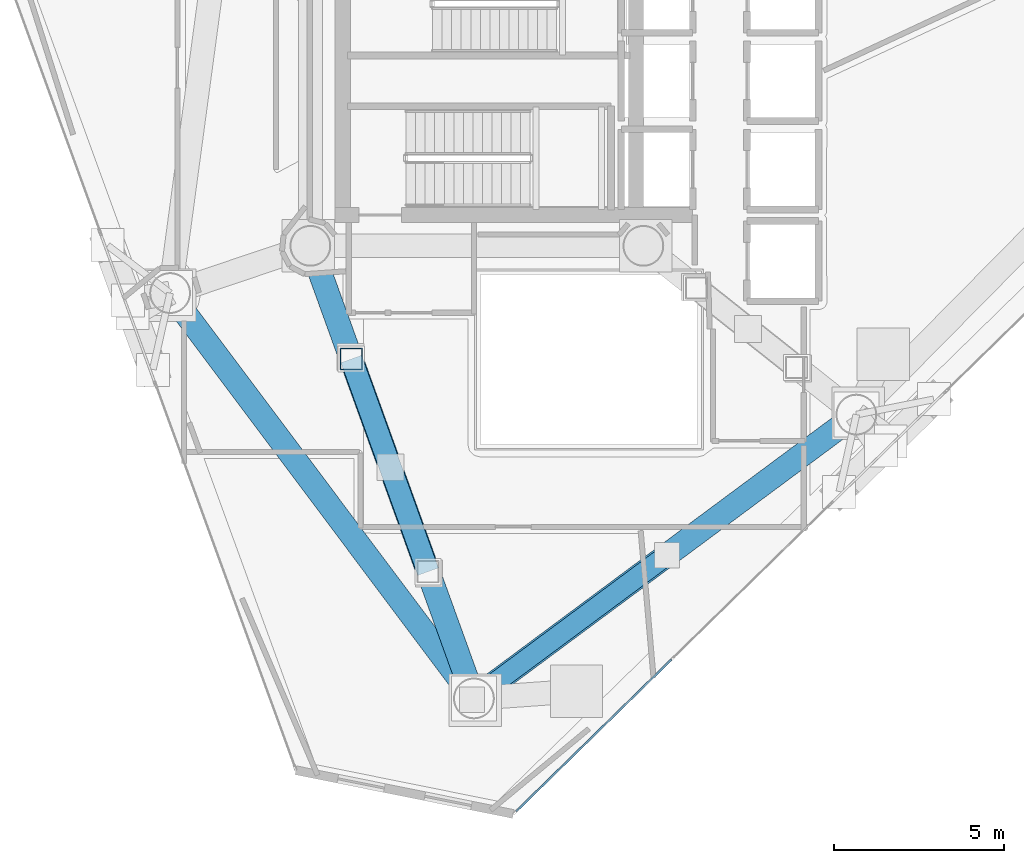
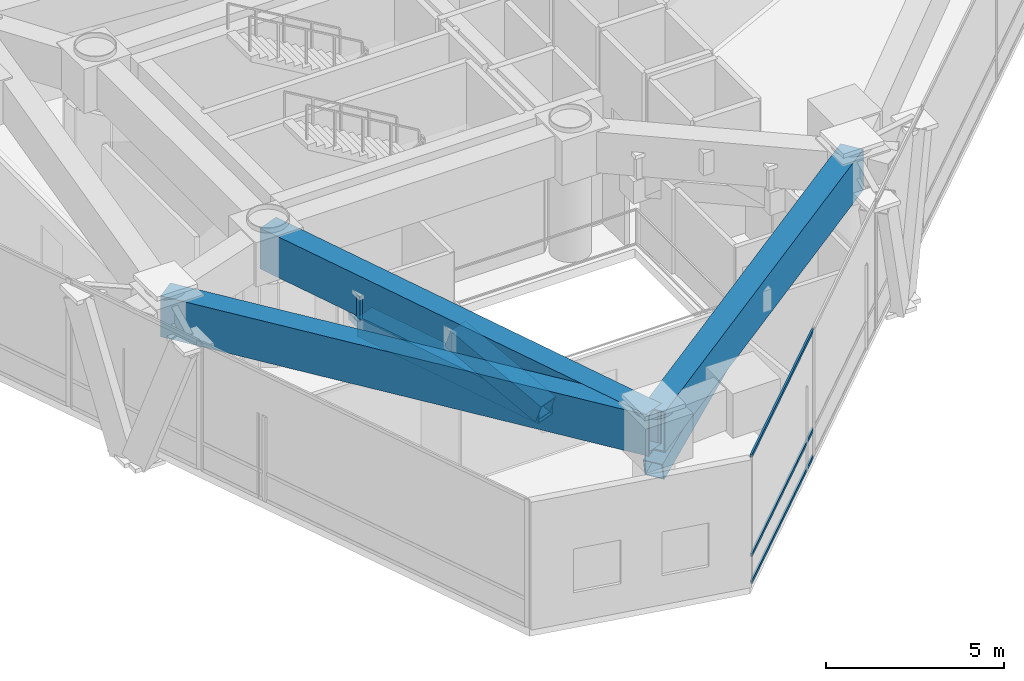
# One storey, part 4 of 20: 8 members, 3 beams, 1 element without a shape of its own.
"""IFC4 building model written with IfcOpenShell, lengths in metres."""

from ifc_helpers import new_model, si_unit, direction, frame, origin, origin_2d, place, context, subcontext, project, spatial, hollow_rectangle, extrude, material, layer, layer_set, material_profile, profile_set, type_object, element, aggregate, save


model = new_model("IFC4")

# Units and contexts
model_context = context("Model", 3, precision=1e-05, world=origin(), true_north=direction((0.0, 1.0)))
body_context = subcontext(model_context, "Body", "Model", "MODEL_VIEW")
ifc_project = project(units=[si_unit("LENGTHUNIT", "METRE"), si_unit("AREAUNIT", "SQUARE_METRE"), si_unit("VOLUMEUNIT", "CUBIC_METRE"), si_unit("PLANEANGLEUNIT", "RADIAN"), si_unit("MASSUNIT", "GRAM", prefix="KILO")], contexts=[model_context])

# Site, building, storey
site_placement = place(None, origin())
site = spatial("IfcSite", under=ifc_project, at=site_placement, CompositionType="ELEMENT")
building_placement = place(site_placement, origin())
building = spatial("IfcBuilding", under=site, at=building_placement, Name="Qianvela Tower", CompositionType="ELEMENT")
storey_placement = place(building_placement, frame((0.0, 0.0, 229.89990234375)))
storey = spatial("IfcBuildingStorey", under=building, at=storey_placement, Name="L59", CompositionType="ELEMENT", Elevation=229.89990234375)

# Beams
ifc_material_1 = material(Name="Steel Q420GJC", Category="steel")
ifc_material_profile_1 = material_profile(ifc_material_1, hollow_rectangle(XDim=0.699951171875, YDim=1.39990234375, WallThickness=0.0400390625, at=origin_2d()), Name="TG-BOX-1400x700x40")
ifc_profile_set_1 = profile_set([ifc_material_profile_1], Name="Steel Q420GJC")
beam_type = type_object("IfcBeamType", Name="BM-TG-RAD-1400", PredefinedType="BEAM", material=ifc_profile_set_1)
beam_1_placement = place(storey_placement, frame((24.471923828125, 22.4599609375, 3.677978515625), z_axis=(0.599761529533, -0.800178797327, 0.0), x_axis=(0.800178797327, 0.599761529533, 0.0)))
element("IfcBeam", 1, at=beam_1_placement, inside=storey, type_object=beam_type, Name="L59 Perimeter Belt-Truss Top Ring Girder 4", PredefinedType="BEAM", context=body_context, shape_type="SweptSolid", body=[
    extrude(hollow_rectangle(XDim=0.699951171875, YDim=1.39990234375, WallThickness=0.0400390625, at=origin_2d()), origin(), (0.0, 0.0, 1.0), 14.907958984375),
])
beam_2_placement = place(storey_placement, frame((33.4130859375, 10.531005859375, 3.677978515625), z_axis=(0.803016810701, 0.595956375696, 0.0), x_axis=(-0.595956375696, 0.803016810701, 0.0)))
element("IfcBeam", 2, at=beam_2_placement, inside=storey, type_object=beam_type, Name="L59 Perimeter Belt-Truss Top Ring Girder 5", PredefinedType="BEAM", context=body_context, shape_type="SweptSolid", body=[
    extrude(hollow_rectangle(XDim=0.699951171875, YDim=1.39990234375, WallThickness=0.0400390625, at=origin_2d()), origin(), (0.0, 0.0, 1.0), 14.0146484375),
])
beam_3_placement = place(storey_placement, frame((28.60009765625, 23.85009765625, 3.677978515625), z_axis=(0.339851607149, -0.940479072132, 0.0), x_axis=(0.940479072132, 0.339851607149, 0.0)))
element("IfcBeam", 3, at=beam_3_placement, inside=storey, type_object=beam_type, Name="L59 Radial Outrigger Top Transfer Girder 5", PredefinedType="BEAM", context=body_context, shape_type="SweptSolid", body=[
    extrude(hollow_rectangle(XDim=0.699951171875, YDim=1.39990234375, WallThickness=0.0400390625, at=origin_2d()), origin(), (0.0, 0.0, 1.0), 14.162109375),
])

# Curtain wall, members
ifc_material_2 = material(Name="Anodised Architectural Aluminium and Low-E Glass", Category="aluminium")
ifc_layer = layer(ifc_material_2, 0.159912109375)
ifc_layer_set = layer_set([ifc_layer], Name="Anodised Architectural Aluminium and Low-E Glass")
curtain_wall_type = type_object("IfcCurtainWallType", Name="CW-COLIV-Z56", PredefinedType="USERDEFINED", material=ifc_layer_set)
curtain_wall_placement = place(storey_placement, origin())
curtain_wall = element("IfcCurtainWall", 4, at=curtain_wall_placement, inside=storey, type_object=curtain_wall_type, Name="L59 CW-COLIV-Z56 Curtain Wall 06A", ObjectType="CURTAIN_WALL_SYSTEM", PredefinedType="USERDEFINED")
ifc_material_3 = material(Name="Anodised Architectural Aluminium 6063-T6", Category="aluminium")
ifc_material_profile_2 = material_profile(ifc_material_3, hollow_rectangle(XDim=0.06005859375, YDim=0.114990234375, WallThickness=0.00390625, at=origin_2d()), Name="ALU-TRAN-60x115")
ifc_profile_set_2 = profile_set([ifc_material_profile_2], Name="Anodised Architectural Aluminium 6063-T6")
member_type_1 = type_object("IfcMemberType", Name="CW-COLIV-Z56-TRAN", PredefinedType="USERDEFINED", material=ifc_profile_set_2)
member_1_placement = place(storey_placement, frame((34.656005859375, 7.2080078125, 0.030029296875), z_axis=(0.715056690243, 0.699066470186, 0.0), x_axis=(-0.699066470186, 0.715056690243, 0.0)))
member_1 = element("IfcMember", 5, at=member_1_placement, type_object=member_type_1, Name="CW-5 transom 1.1", ObjectType="TRANSOM", PredefinedType="USERDEFINED", context=body_context, shape_type="SweptSolid", body=[
    extrude(hollow_rectangle(XDim=0.06005859375, YDim=0.114990234375, WallThickness=0.00390625, at=origin_2d()), origin(), (0.0, 0.0, 1.0), 6.3974609375),
])
member_2_placement = place(storey_placement, frame((34.656005859375, 7.2080078125, 0.9501953125), z_axis=(0.715056690243, 0.699066470186, 0.0), x_axis=(-0.699066470186, 0.715056690243, 0.0)))
member_2 = element("IfcMember", 6, at=member_2_placement, type_object=member_type_1, Name="CW-5 transom 1.2", ObjectType="TRANSOM", PredefinedType="USERDEFINED", context=body_context, shape_type="SweptSolid", body=[
    extrude(hollow_rectangle(XDim=0.06005859375, YDim=0.114990234375, WallThickness=0.00390625, at=origin_2d()), origin(), (0.0, 0.0, 1.0), 6.3974609375),
])
member_3_placement = place(storey_placement, frame((34.656005859375, 7.2080078125, 4.35009765625), z_axis=(0.715056690243, 0.699066470186, 0.0), x_axis=(-0.699066470186, 0.715056690243, 0.0)))
member_3 = element("IfcMember", 7, at=member_3_placement, type_object=member_type_1, Name="CW-5 transom 1.3", ObjectType="TRANSOM", PredefinedType="USERDEFINED", context=body_context, shape_type="SweptSolid", body=[
    extrude(hollow_rectangle(XDim=0.06005859375, YDim=0.114990234375, WallThickness=0.00390625, at=origin_2d()), origin(), (0.0, 0.0, 1.0), 6.3974609375),
])
aggregate(curtain_wall, [member_1, member_2, member_3])

# Members
ifc_material_4 = material(Name="Steel Q420GJC", Category="steel")
ifc_material_profile_3 = material_profile(ifc_material_4, hollow_rectangle(XDim=0.60009765625, YDim=0.60009765625, WallThickness=0.02490234375, at=origin_2d()), Name="BBOX-600x600x25")
ifc_profile_set_3 = profile_set([ifc_material_profile_3], Name="Steel Q420GJC")
member_type_2 = type_object("IfcMemberType", Name="MBR-BELT-600", PredefinedType="BRACE", material=ifc_profile_set_3)
member_4_placement = place(storey_placement, frame((33.4130859375, 10.531005859375, 2.300048828125), z_axis=(0.787927333456, 0.584757768083, 0.19294784233), x_axis=(-0.595956375696, 0.803016810701, 0.0)))
element("IfcMember", 8, at=member_4_placement, inside=storey, type_object=member_type_2, Name="L59 Perimeter Belt-Truss Web Diagonal 5", PredefinedType="BRACE", context=body_context, shape_type="SweptSolid", body=[
    extrude(hollow_rectangle(XDim=0.60009765625, YDim=0.60009765625, WallThickness=0.02490234375, at=origin_2d()), origin(), (0.0, 0.0, 1.0), 7.141357421875),
])
ifc_material_5 = material(Name="Steel Q420GJC", Category="steel")
ifc_material_profile_4 = material_profile(ifc_material_5, hollow_rectangle(XDim=0.64990234375, YDim=0.64990234375, WallThickness=0.028076171875, at=origin_2d()), Name="OBOX-650x650x28")
ifc_profile_set_4 = profile_set([ifc_material_profile_4], Name="Steel Q420GJC")
member_type_3 = type_object("IfcMemberType", Name="MBR-OUTRIG-650", PredefinedType="BRACE", material=ifc_profile_set_4)
member_5_placement = place(storey_placement, frame((29.80322265625, 20.520263671875, 2.572998046875), z_axis=(0.0, 0.0, 1.0), x_axis=(1.0, 0.0, 0.0)))
element("IfcMember", 9, at=member_5_placement, inside=storey, type_object=member_type_3, Name="L59 Radial Outrigger Web Post 5A", PredefinedType="BRACE", context=body_context, shape_type="SweptSolid", body=[
    extrude(hollow_rectangle(XDim=0.64990234375, YDim=0.64990234375, WallThickness=0.028076171875, at=origin_2d()), origin(), (0.0, 0.0, 1.0), 1.10498046875),
])
member_6_placement = place(storey_placement, frame((29.80322265625, 20.520263671875, 2.572998046875), z_axis=(0.339863474353, -0.940474783713, 0.0), x_axis=(0.940474783713, 0.339863474353, 0.0)))
element("IfcMember", 10, at=member_6_placement, inside=storey, type_object=member_type_3, Name="L59 Radial Outrigger Bottom Chord 5", PredefinedType="BRACE", context=body_context, shape_type="SweptSolid", body=[
    extrude(hollow_rectangle(XDim=0.64990234375, YDim=0.64990234375, WallThickness=0.028076171875, at=origin_2d()), origin(), (0.0, 0.0, 1.0), 6.65625),
])
member_7_placement = place(storey_placement, frame((29.80322265625, 20.520263671875, 2.572998046875), z_axis=(0.322560236179, -0.892558218826, 0.315110647301), x_axis=(0.940470546858, 0.339875198408, 0.0)))
element("IfcMember", 11, at=member_7_placement, inside=storey, type_object=member_type_3, Name="L59 Radial Outrigger Diagonal 5A", PredefinedType="BRACE", context=body_context, shape_type="SweptSolid", body=[
    extrude(hollow_rectangle(XDim=0.64990234375, YDim=0.64990234375, WallThickness=0.028076171875, at=origin_2d()), origin(), (0.0, 0.0, 1.0), 3.506591796875),
])
member_8_placement = place(storey_placement, frame((30.934326171875, 17.390380859375, 3.677978515625), z_axis=(0.322540192734, -0.892572374498, -0.315091066764), x_axis=(0.94047902013, 0.339851751054, 0.0)))
element("IfcMember", 12, at=member_8_placement, inside=storey, type_object=member_type_3, Name="L59 Radial Outrigger Diagonal 5B", PredefinedType="BRACE", context=body_context, shape_type="SweptSolid", body=[
    extrude(hollow_rectangle(XDim=0.64990234375, YDim=0.64990234375, WallThickness=0.028076171875, at=origin_2d()), origin(), (0.0, 0.0, 1.0), 3.5068359375),
])

save(model, "model.ifc")
